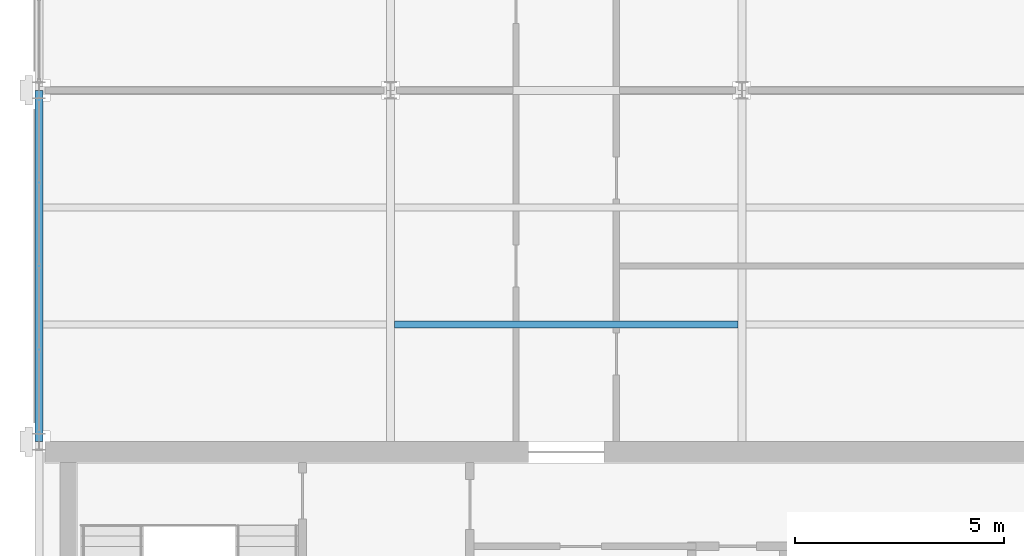
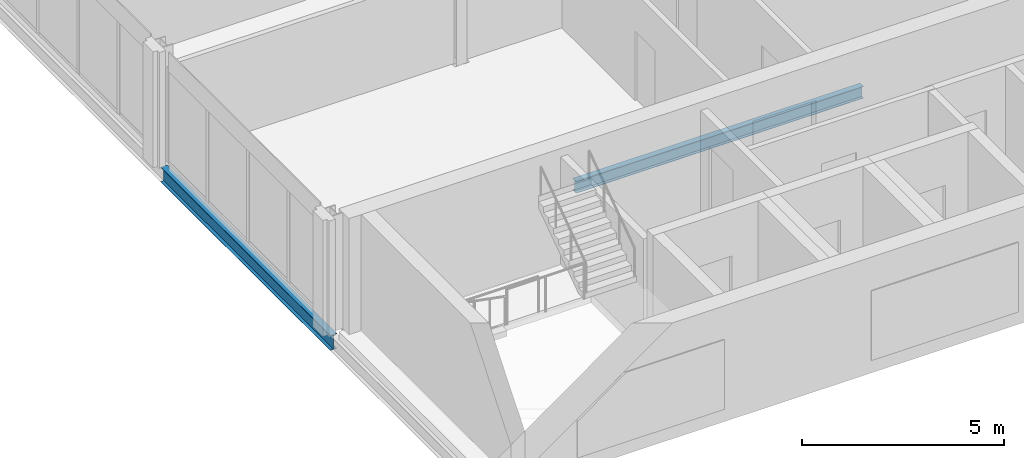
# One storey, part 5 of 32: 2 beams.
"""IFC4 building model written with IfcOpenShell, lengths in metres."""

from ifc_helpers import new_model, si_unit, direction, frame, origin, origin_2d, place, context, subcontext, project, spatial, i_section, extrude, material, material_profile, profile_set, type_object, element, save


model = new_model("IFC4")

# Units and contexts
model_context = context("Model", 3, precision=1e-05, world=origin(), true_north=direction((0.0, 1.0)))
body_context = subcontext(model_context, "Body", "Model", "MODEL_VIEW")
ifc_project = project(units=[si_unit("LENGTHUNIT", "METRE"), si_unit("AREAUNIT", "SQUARE_METRE"), si_unit("VOLUMEUNIT", "CUBIC_METRE"), si_unit("PLANEANGLEUNIT", "RADIAN"), si_unit("MASSUNIT", "GRAM", prefix="KILO")], contexts=[model_context])

# Site, building, storey
site_placement = place(None, origin())
site = spatial("IfcSite", under=ifc_project, at=site_placement, CompositionType="ELEMENT")
building_placement = place(site_placement, origin())
building = spatial("IfcBuilding", under=site, at=building_placement, Name="Catenary Quay Ferry Terminal", CompositionType="ELEMENT")
storey_placement = place(building_placement, frame((0.0, 0.0, 17.10009765625)))
storey = spatial("IfcBuildingStorey", under=building, at=storey_placement, Name="L03", CompositionType="ELEMENT", Elevation=17.10009765625)

# Beams
ifc_material_1 = material(Name="Steel S355", Category="steel")
ifc_material_profile_1 = material_profile(ifc_material_1, i_section(OverallWidth=0.18994140625, OverallDepth=0.453369140625, WebThickness=0.008544921875, FlangeThickness=0.0126953125, at=origin_2d()), Name="UB 457x191x67")
ifc_profile_set_1 = profile_set([ifc_material_profile_1], Name="Steel S355")
beam_type_1 = type_object("IfcBeamType", Name="B1 UB 457x191x67", PredefinedType="BEAM", material=ifc_profile_set_1)
beam_1_placement = place(storey_placement, frame((25.199951171875, 168.0, -0.47705078125), z_axis=(0.0, 1.0, 0.0), x_axis=(-1.0, 0.0, 0.0)))
element("IfcBeam", 1, at=beam_1_placement, inside=storey, type_object=beam_type_1, Name="Beam B1-011", PredefinedType="BEAM", context=body_context, shape_type="SweptSolid", body=[
    extrude(i_section(OverallWidth=0.18994140625, OverallDepth=0.453369140625, WebThickness=0.008544921875, FlangeThickness=0.0126953125, at=origin_2d()), origin(), (0.0, 0.0, 1.0), 8.39990234375),
])
ifc_material_2 = material(Name="Steel S355", Category="steel")
ifc_material_profile_2 = material_profile(ifc_material_2, i_section(OverallWidth=0.169921875, OverallDepth=0.360107421875, WebThickness=0.008056640625, FlangeThickness=0.0126953125, at=origin_2d()), Name="IPE 360")
ifc_profile_set_2 = profile_set([ifc_material_profile_2], Name="Steel S355")
beam_type_2 = type_object("IfcBeamType", Name="B7 IPE 360", PredefinedType="BEAM", material=ifc_profile_set_2)
beam_2_placement = place(storey_placement, frame((33.695068359375, 170.800048828125, -0.43017578125), z_axis=(1.0, 0.0, 0.0), x_axis=(0.0, 1.0, 0.0)))
element("IfcBeam", 2, at=beam_2_placement, inside=storey, type_object=beam_type_2, Name="Beam B7-026", PredefinedType="BEAM", context=body_context, shape_type="SweptSolid", body=[
    extrude(i_section(OverallWidth=0.169921875, OverallDepth=0.360107421875, WebThickness=0.008056640625, FlangeThickness=0.0126953125, at=origin_2d()), origin(), (0.0, 0.0, 1.0), 8.2099609375),
])

save(model, "model.ifc")
